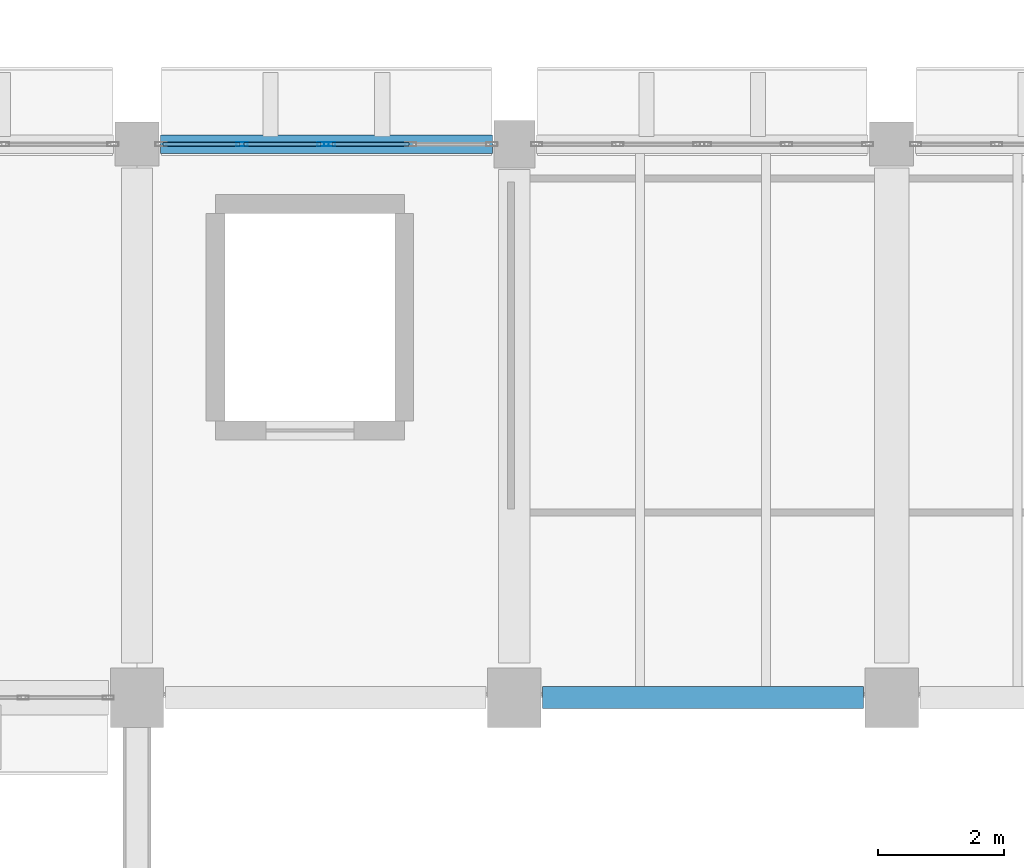
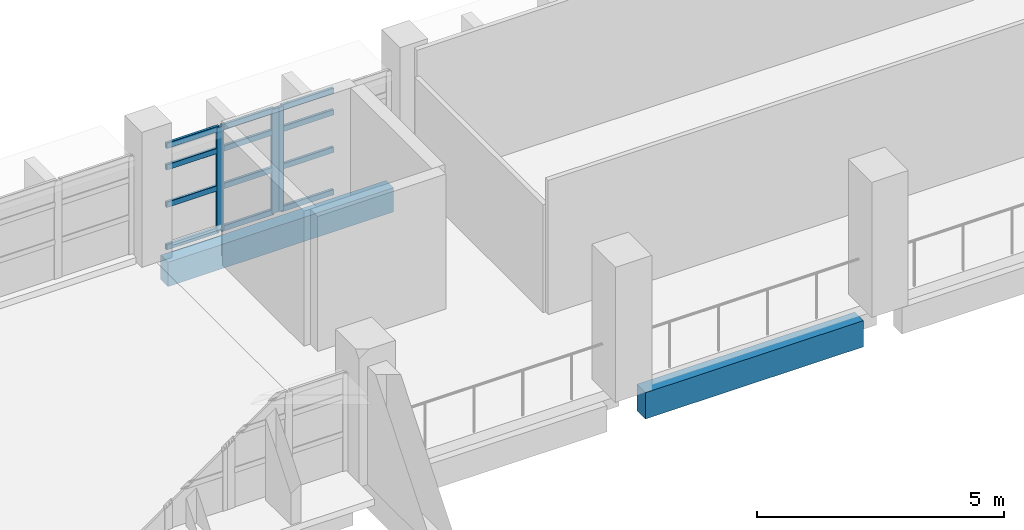
# One storey, part 30 of 75: 15 members, 2 beams, 2 elements without a shape of their own.
"""IFC4 building model written with IfcOpenShell, lengths in metres."""

from ifc_helpers import new_model, si_unit, direction, frame, origin, origin_2d, place, context, subcontext, project, spatial, rectangle, hollow_rectangle, extrude, material, material_profile, profile_set, type_object, element, aggregate, save


model = new_model("IFC4")

# Units and contexts
model_context = context("Model", 3, precision=1e-05, world=origin(), true_north=direction((0.0, 1.0)))
body_context = subcontext(model_context, "Body", "Model", "MODEL_VIEW")
ifc_project = project(units=[si_unit("LENGTHUNIT", "METRE"), si_unit("AREAUNIT", "SQUARE_METRE"), si_unit("VOLUMEUNIT", "CUBIC_METRE"), si_unit("PLANEANGLEUNIT", "RADIAN"), si_unit("MASSUNIT", "GRAM", prefix="KILO")], contexts=[model_context])

# Site, building, storey
site_placement = place(None, origin())
site = spatial("IfcSite", under=ifc_project, at=site_placement, CompositionType="ELEMENT")
building_placement = place(site_placement, origin())
building = spatial("IfcBuilding", under=site, at=building_placement, Name="Varnakota Cinema and Media Centre", CompositionType="ELEMENT")
storey_placement = place(building_placement, frame((0.0, 0.0, 8.39990234375)))
storey = spatial("IfcBuildingStorey", under=building, at=storey_placement, Name="L02", CompositionType="ELEMENT", Elevation=8.39990234375)

# Beams
ifc_material_1 = material(Name="Concrete M35", Category="concrete")
ifc_material_profile_1 = material_profile(ifc_material_1, rectangle(XDim=0.300048828125, YDim=0.60009765625, at=origin_2d()), Name="RCB 300x600")
ifc_profile_set_1 = profile_set([ifc_material_profile_1], Name="Concrete M35")
beam_type_1 = type_object("IfcBeamType", Name="BM-SP-300x600", PredefinedType="SPANDREL", material=ifc_profile_set_1)
beam_1_placement = place(storey_placement, frame((75.375, 44.0, -0.5498046875), z_axis=(1.0, 0.0, 0.0), x_axis=(0.0, 1.0, 0.0)))
element("IfcBeam", 1, at=beam_1_placement, inside=storey, type_object=beam_type_1, Name="L02 girder K-L/6", PredefinedType="SPANDREL", context=body_context, shape_type="SweptSolid", body=[
    extrude(rectangle(XDim=0.300048828125, YDim=0.60009765625, at=origin_2d()), origin(), (0.0, 0.0, 1.0), 5.27490234375),
])
ifc_material_2 = material(Name="Concrete M40", Category="concrete")
ifc_material_profile_2 = material_profile(ifc_material_2, rectangle(XDim=0.35009765625, YDim=0.64990234375, at=origin_2d()), Name="RCB 350x650")
ifc_profile_set_2 = profile_set([ifc_material_profile_2], Name="Concrete M40")
beam_type_2 = type_object("IfcBeamType", Name="BM-SP-350x650", PredefinedType="SPANDREL", material=ifc_profile_set_2)
beam_2_placement = place(storey_placement, frame((81.449951171875, 35.199951171875, -0.574951171875), z_axis=(1.0, 0.0, 0.0), x_axis=(0.0, 1.0, 0.0)))
element("IfcBeam", 2, at=beam_2_placement, inside=storey, type_object=beam_type_2, Name="L02 girder L-M/5", PredefinedType="SPANDREL", context=body_context, shape_type="SweptSolid", body=[
    extrude(rectangle(XDim=0.35009765625, YDim=0.64990234375, at=origin_2d()), origin(), (0.0, 0.0, 1.0), 5.10009765625),
])

# Curtain wall, members
ifc_material_3 = material(Name="Thermally broken anodised aluminium AW-6063", Category="aluminium")
curtain_wall_type = type_object("IfcCurtainWallType", Name="CW-STD-264x258", PredefinedType="USERDEFINED", material=ifc_material_3)
curtain_wall_1_placement = place(storey_placement, origin())
curtain_wall_1 = element("IfcCurtainWall", 3, at=curtain_wall_1_placement, inside=storey, type_object=curtain_wall_type, Name="L02 curtain wall CW-L02-V1-N-01-1", ObjectType="UNITISED CURTAIN WALL", PredefinedType="USERDEFINED")
ifc_material_4 = material(Name="Thermally broken anodised aluminium AW-6063", Category="aluminium")
ifc_material_profile_3 = material_profile(ifc_material_4, hollow_rectangle(XDim=0.06494140625, YDim=0.179931640625, WallThickness=0.00390625, InnerFilletRadius=0.00390625, OuterFilletRadius=0.008056640625, at=origin_2d()), Name="AL-MULLION 180x65x4")
ifc_profile_set_3 = profile_set([ifc_material_profile_3], Name="Thermally broken anodised aluminium AW-6063")
member_type_1 = type_object("IfcMemberType", Name="CWM-AL-180", PredefinedType="MULLION", material=ifc_profile_set_3)
member_1_placement = place(storey_placement, frame((76.671142578125, 44.0, 0.0), z_axis=(0.0, 0.0, 1.0), x_axis=(0.0, 1.0, 0.0)))
member_1 = element("IfcMember", 4, at=member_1_placement, type_object=member_type_1, Name="CW29 mullion 2", PredefinedType="MULLION", context=body_context, shape_type="SweptSolid", body=[
    extrude(hollow_rectangle(XDim=0.06494140625, YDim=0.179931640625, WallThickness=0.00390625, InnerFilletRadius=0.00390625, OuterFilletRadius=0.008056640625, at=origin_2d()), origin(), (0.0, 0.0, 1.0), 2.5751953125),
])
member_2_placement = place(storey_placement, frame((77.9599609375, 44.0, 0.0), z_axis=(0.0, 0.0, 1.0), x_axis=(0.0, 1.0, 0.0)))
member_2 = element("IfcMember", 5, at=member_2_placement, type_object=member_type_1, Name="CW29 mullion 3", PredefinedType="MULLION", context=body_context, shape_type="SweptSolid", body=[
    extrude(hollow_rectangle(XDim=0.06494140625, YDim=0.179931640625, WallThickness=0.00390625, InnerFilletRadius=0.00390625, OuterFilletRadius=0.008056640625, at=origin_2d()), origin(), (0.0, 0.0, 1.0), 2.5751953125),
])

# Curtain wall, member
curtain_wall_2_placement = place(storey_placement, origin())
curtain_wall_2 = element("IfcCurtainWall", 6, at=curtain_wall_2_placement, inside=storey, type_object=curtain_wall_type, Name="L02 curtain wall CW-L02-V1-N-01-2", ObjectType="UNITISED CURTAIN WALL", PredefinedType="USERDEFINED")
member_3_placement = place(storey_placement, frame((78.06494140625, 44.0, 0.0), z_axis=(0.0, 0.0, 1.0), x_axis=(0.0, 1.0, 0.0)))
member_3 = element("IfcMember", 7, at=member_3_placement, type_object=member_type_1, Name="CW29 mullion 1", PredefinedType="MULLION", context=body_context, shape_type="SweptSolid", body=[
    extrude(hollow_rectangle(XDim=0.06494140625, YDim=0.179931640625, WallThickness=0.00390625, InnerFilletRadius=0.00390625, OuterFilletRadius=0.008056640625, at=origin_2d()), origin(), (0.0, 0.0, 1.0), 2.5751953125),
])

# Member
ifc_material_5 = material(Name="Thermally broken anodised aluminium AW-6063", Category="aluminium")
ifc_material_profile_4 = material_profile(ifc_material_5, hollow_rectangle(XDim=0.06494140625, YDim=0.139892578125, WallThickness=0.00390625, InnerFilletRadius=0.00390625, OuterFilletRadius=0.008056640625, at=origin_2d()), Name="AL-TRANSOM 140x65x4")
ifc_profile_set_4 = profile_set([ifc_material_profile_4], Name="Thermally broken anodised aluminium AW-6063")
member_type_2 = type_object("IfcMemberType", Name="CWT-AL-140", PredefinedType="USERDEFINED", material=ifc_profile_set_4)
member_4_placement = place(storey_placement, frame((75.4150390625, 44.0, 0.03271484375), z_axis=(1.0, 0.0, 0.0), x_axis=(0.0, 1.0, 0.0)))
member_4 = element("IfcMember", 8, at=member_4_placement, type_object=member_type_2, Name="CW29 transom 1.1", ObjectType="TRANSOM", PredefinedType="USERDEFINED", context=body_context, shape_type="SweptSolid", body=[
    extrude(hollow_rectangle(XDim=0.06494140625, YDim=0.139892578125, WallThickness=0.00390625, InnerFilletRadius=0.00390625, OuterFilletRadius=0.008056640625, at=origin_2d()), origin(), (0.0, 0.0, 1.0), 1.2236328125),
])

member_5_placement = place(storey_placement, frame((75.4150390625, 44.0, 1.08154296875), z_axis=(1.0, 0.0, 0.0), x_axis=(0.0, 1.0, 0.0)))
member_5 = element("IfcMember", 9, at=member_5_placement, type_object=member_type_2, Name="CW29 transom 1.2", ObjectType="TRANSOM", PredefinedType="USERDEFINED", context=body_context, shape_type="SweptSolid", body=[
    extrude(hollow_rectangle(XDim=0.06494140625, YDim=0.139892578125, WallThickness=0.00390625, InnerFilletRadius=0.00390625, OuterFilletRadius=0.008056640625, at=origin_2d()), origin(), (0.0, 0.0, 1.0), 1.2236328125),
])

member_6_placement = place(storey_placement, frame((75.4150390625, 44.0, 2.008544921875), z_axis=(1.0, 0.0, 0.0), x_axis=(0.0, 1.0, 0.0)))
member_6 = element("IfcMember", 10, at=member_6_placement, type_object=member_type_2, Name="CW29 transom 1.3", ObjectType="TRANSOM", PredefinedType="USERDEFINED", context=body_context, shape_type="SweptSolid", body=[
    extrude(hollow_rectangle(XDim=0.06494140625, YDim=0.139892578125, WallThickness=0.00390625, InnerFilletRadius=0.00390625, OuterFilletRadius=0.008056640625, at=origin_2d()), origin(), (0.0, 0.0, 1.0), 1.2236328125),
])

member_7_placement = place(storey_placement, frame((75.4150390625, 44.0, 2.54248046875), z_axis=(1.0, 0.0, 0.0), x_axis=(0.0, 1.0, 0.0)))
member_7 = element("IfcMember", 11, at=member_7_placement, type_object=member_type_2, Name="CW29 transom 1.4", ObjectType="TRANSOM", PredefinedType="USERDEFINED", context=body_context, shape_type="SweptSolid", body=[
    extrude(hollow_rectangle(XDim=0.06494140625, YDim=0.139892578125, WallThickness=0.00390625, InnerFilletRadius=0.00390625, OuterFilletRadius=0.008056640625, at=origin_2d()), origin(), (0.0, 0.0, 1.0), 1.2236328125),
])

member_8_placement = place(storey_placement, frame((76.703857421875, 44.0, 0.03271484375), z_axis=(1.0, 0.0, 0.0), x_axis=(0.0, 1.0, 0.0)))
member_8 = element("IfcMember", 12, at=member_8_placement, type_object=member_type_2, Name="CW29 transom 2.1", ObjectType="TRANSOM", PredefinedType="USERDEFINED", context=body_context, shape_type="SweptSolid", body=[
    extrude(hollow_rectangle(XDim=0.06494140625, YDim=0.139892578125, WallThickness=0.00390625, InnerFilletRadius=0.00390625, OuterFilletRadius=0.008056640625, at=origin_2d()), origin(), (0.0, 0.0, 1.0), 1.2236328125),
])

member_9_placement = place(storey_placement, frame((76.703857421875, 44.0, 1.08154296875), z_axis=(1.0, 0.0, 0.0), x_axis=(0.0, 1.0, 0.0)))
member_9 = element("IfcMember", 13, at=member_9_placement, type_object=member_type_2, Name="CW29 transom 2.2", ObjectType="TRANSOM", PredefinedType="USERDEFINED", context=body_context, shape_type="SweptSolid", body=[
    extrude(hollow_rectangle(XDim=0.06494140625, YDim=0.139892578125, WallThickness=0.00390625, InnerFilletRadius=0.00390625, OuterFilletRadius=0.008056640625, at=origin_2d()), origin(), (0.0, 0.0, 1.0), 1.2236328125),
])

member_10_placement = place(storey_placement, frame((76.703857421875, 44.0, 2.008544921875), z_axis=(1.0, 0.0, 0.0), x_axis=(0.0, 1.0, 0.0)))
member_10 = element("IfcMember", 14, at=member_10_placement, type_object=member_type_2, Name="CW29 transom 2.3", ObjectType="TRANSOM", PredefinedType="USERDEFINED", context=body_context, shape_type="SweptSolid", body=[
    extrude(hollow_rectangle(XDim=0.06494140625, YDim=0.139892578125, WallThickness=0.00390625, InnerFilletRadius=0.00390625, OuterFilletRadius=0.008056640625, at=origin_2d()), origin(), (0.0, 0.0, 1.0), 1.2236328125),
])

member_11_placement = place(storey_placement, frame((76.703857421875, 44.0, 2.54248046875), z_axis=(1.0, 0.0, 0.0), x_axis=(0.0, 1.0, 0.0)))
member_11 = element("IfcMember", 15, at=member_11_placement, type_object=member_type_2, Name="CW29 transom 2.4", ObjectType="TRANSOM", PredefinedType="USERDEFINED", context=body_context, shape_type="SweptSolid", body=[
    extrude(hollow_rectangle(XDim=0.06494140625, YDim=0.139892578125, WallThickness=0.00390625, InnerFilletRadius=0.00390625, OuterFilletRadius=0.008056640625, at=origin_2d()), origin(), (0.0, 0.0, 1.0), 1.2236328125),
])

aggregate(curtain_wall_1, [member_1, member_2, member_4, member_5, member_6, member_7, member_8, member_9, member_10, member_11])

member_12_placement = place(storey_placement, frame((78.097412109375, 44.0, 0.03271484375), z_axis=(1.0, 0.0, 0.0), x_axis=(0.0, 1.0, 0.0)))
member_12 = element("IfcMember", 16, at=member_12_placement, type_object=member_type_2, Name="CW29 transom 1.1", ObjectType="TRANSOM", PredefinedType="USERDEFINED", context=body_context, shape_type="SweptSolid", body=[
    extrude(hollow_rectangle(XDim=0.06494140625, YDim=0.139892578125, WallThickness=0.00390625, InnerFilletRadius=0.00390625, OuterFilletRadius=0.008056640625, at=origin_2d()), origin(), (0.0, 0.0, 1.0), 1.223876953125),
])

member_13_placement = place(storey_placement, frame((78.097412109375, 44.0, 1.08154296875), z_axis=(1.0, 0.0, 0.0), x_axis=(0.0, 1.0, 0.0)))
member_13 = element("IfcMember", 17, at=member_13_placement, type_object=member_type_2, Name="CW29 transom 1.2", ObjectType="TRANSOM", PredefinedType="USERDEFINED", context=body_context, shape_type="SweptSolid", body=[
    extrude(hollow_rectangle(XDim=0.06494140625, YDim=0.139892578125, WallThickness=0.00390625, InnerFilletRadius=0.00390625, OuterFilletRadius=0.008056640625, at=origin_2d()), origin(), (0.0, 0.0, 1.0), 1.223876953125),
])

member_14_placement = place(storey_placement, frame((78.097412109375, 44.0, 2.008544921875), z_axis=(1.0, 0.0, 0.0), x_axis=(0.0, 1.0, 0.0)))
member_14 = element("IfcMember", 18, at=member_14_placement, type_object=member_type_2, Name="CW29 transom 1.3", ObjectType="TRANSOM", PredefinedType="USERDEFINED", context=body_context, shape_type="SweptSolid", body=[
    extrude(hollow_rectangle(XDim=0.06494140625, YDim=0.139892578125, WallThickness=0.00390625, InnerFilletRadius=0.00390625, OuterFilletRadius=0.008056640625, at=origin_2d()), origin(), (0.0, 0.0, 1.0), 1.223876953125),
])

member_15_placement = place(storey_placement, frame((78.097412109375, 44.0, 2.54248046875), z_axis=(1.0, 0.0, 0.0), x_axis=(0.0, 1.0, 0.0)))
member_15 = element("IfcMember", 19, at=member_15_placement, type_object=member_type_2, Name="CW29 transom 1.4", ObjectType="TRANSOM", PredefinedType="USERDEFINED", context=body_context, shape_type="SweptSolid", body=[
    extrude(hollow_rectangle(XDim=0.06494140625, YDim=0.139892578125, WallThickness=0.00390625, InnerFilletRadius=0.00390625, OuterFilletRadius=0.008056640625, at=origin_2d()), origin(), (0.0, 0.0, 1.0), 1.223876953125),
])

aggregate(curtain_wall_2, [member_3, member_12, member_13, member_14, member_15])

save(model, "model.ifc")
